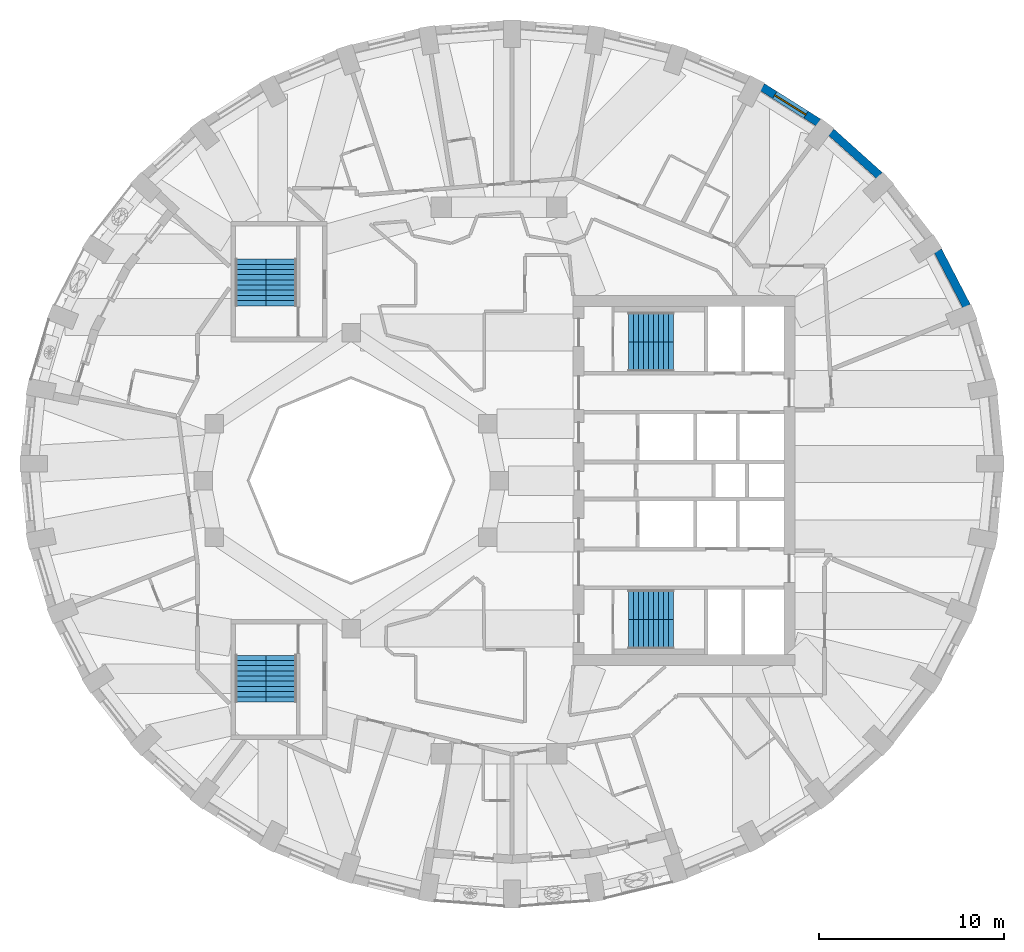
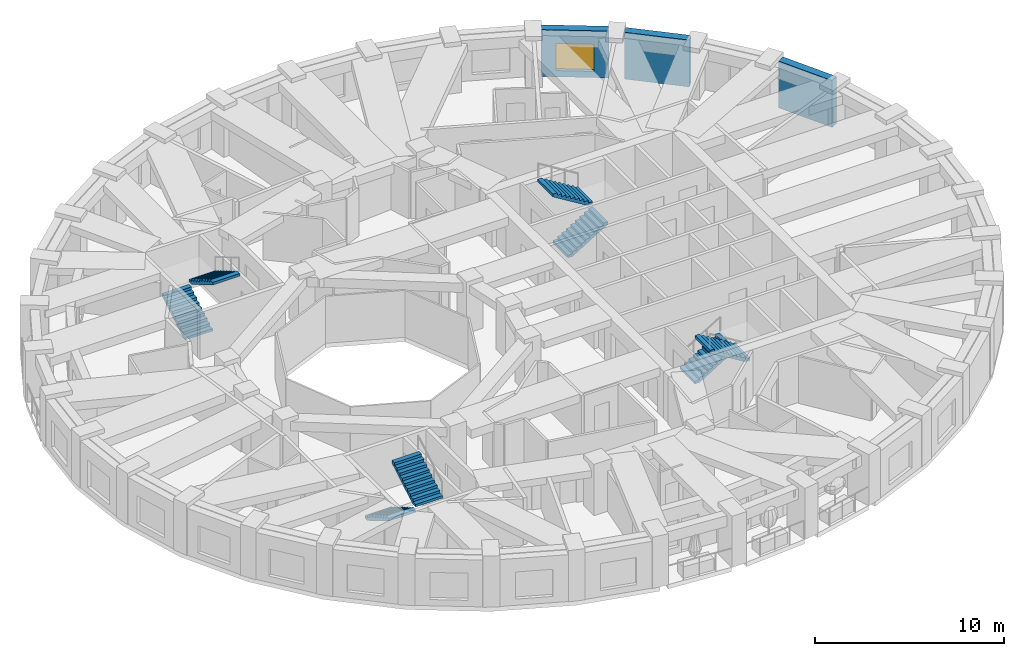
# One storey, part 9 of 12: 8 stair flights, 3 walls, 1 window, 1 opening, 4 elements without a shape of their own.
"""IFC4 building model written with IfcOpenShell, lengths in metres."""

from ifc_helpers import new_model, si_unit, direction, frame, frame_2d, origin, place, context, subcontext, project, spatial, polyline, rectangle, outline, extrude, material, layer, layer_set, type_object, element, fill, aggregate, save


model = new_model("IFC4")

# Units and contexts
model_context = context("Model", 3, precision=1e-05, world=origin(), true_north=direction((0.0, 1.0)))
body_context = subcontext(model_context, "Body", "Model", "MODEL_VIEW")
ifc_project = project(units=[si_unit("LENGTHUNIT", "METRE"), si_unit("AREAUNIT", "SQUARE_METRE"), si_unit("VOLUMEUNIT", "CUBIC_METRE"), si_unit("PLANEANGLEUNIT", "RADIAN"), si_unit("MASSUNIT", "GRAM", prefix="KILO")], contexts=[model_context])

# Site, building, storey
site_placement = place(None, origin())
site = spatial("IfcSite", under=ifc_project, at=site_placement, CompositionType="ELEMENT")
building_placement = place(site_placement, origin())
building = spatial("IfcBuilding", under=site, at=building_placement, Name="Taillehof Tower", CompositionType="ELEMENT")
storey_placement = place(building_placement, frame((0.0, 0.0, 205.699951171875)))
storey = spatial("IfcBuildingStorey", under=building, at=storey_placement, Name="L58", CompositionType="ELEMENT", Elevation=205.699951171875)

# Walls
ifc_material_1 = material(Name="Brick masonry", Category="masonry")
ifc_layer = layer(ifc_material_1, 0.449951171875)
ifc_layer_set = layer_set([ifc_layer], Name="Brick infill wall 450")
wall_type = type_object("IfcWallType", Name="Brick infill wall 450", PredefinedType="SOLIDWALL", material=ifc_layer_set)
wall_1_placement = place(storey_placement, frame((25.278076171875, 9.431640625, 0.0), z_axis=(0.0, 0.0, 1.0), x_axis=(-0.460175500475, 0.887827972505, 0.0)))
element("IfcWall", 1, at=wall_1_placement, inside=storey, type_object=wall_type, Name="Brick wall L58 bay 3", PredefinedType="SOLIDWALL", context=body_context, shape_type="SweptSolid", body=[
    extrude(rectangle(XDim=3.37060546875, YDim=0.449951171875, at=frame_2d((1.685302734375, 0.0))), origin(), (0.0, 0.0, 1.0), 3.02001953125),
])
wall_2_placement = place(storey_placement, frame((20.56494140625, 16.490478515625, 0.0), z_axis=(0.0, 0.0, 1.0), x_axis=(-0.743442727602, 0.668799604348, 0.0)))
element("IfcWall", 2, at=wall_2_placement, inside=storey, type_object=wall_type, Name="Brick wall L58 bay 5", PredefinedType="SOLIDWALL", context=body_context, shape_type="SweptSolid", body=[
    extrude(rectangle(XDim=3.5126953125, YDim=0.449951171875, at=frame_2d((1.75634765625, 0.0))), origin(), (0.0, 0.0, 1.0), 3.02001953125),
])

# Wall, opening, window
wall_3_placement = place(storey_placement, frame((17.26708984375, 19.3583984375, 0.0), z_axis=(0.0, 0.0, 1.0), x_axis=(-0.846119146727, 0.532993798783, 0.0)))
wall_3 = element("IfcWall", 3, at=wall_3_placement, inside=storey, type_object=wall_type, Name="Brick wall L58 bay 6", PredefinedType="SOLIDWALL", context=body_context, shape_type="SweptSolid", body=[
    extrude(rectangle(XDim=3.586669921875, YDim=0.449951171875, at=frame_2d((1.79345703125, 0.0))), origin(), (0.0, 0.0, 1.0), 3.02001953125),
])
opening_placement = place(wall_3_placement, frame((0.79345703125, 0.0, 0.39990234375)))
opening = element("IfcOpeningElement", 4, at=opening_placement, cuts=wall_3, Name="Opening W2", PredefinedType="OPENING", context=body_context, shape_type="SweptSolid", body=[
    extrude(rectangle(XDim=2.0, YDim=1.75, at=frame_2d((1.0, 0.875))), frame((0.0, 0.23486328125, 0.0), z_axis=(0.0, -1.0, 0.0), x_axis=(1.0, 0.0, 0.0)), (0.0, 0.0, 1.0), 0.469970703125),
])
ifc_material_2 = material(Name="Aluminium window frame with clear double glazing", Category="aluminium")
window_type = type_object("IfcWindowType", Name="Deep-set window 2000x1750", PartitioningType="SINGLE_PANEL", PredefinedType="WINDOW", material=ifc_material_2)
window_placement = place(opening_placement, origin())
window = element("IfcWindow", 5, at=window_placement, inside=storey, type_object=window_type, Name="W2", OverallHeight=1.75, OverallWidth=2.0, PartitioningType="SINGLE_PANEL", PredefinedType="WINDOW", context=body_context, shape_type="SweptSolid", body=[
    extrude(rectangle(XDim=2.0, YDim=1.75, at=frame_2d((1.0, 0.875))), frame((0.0, 0.034912109375, 0.0), z_axis=(0.0, -1.0, 0.0), x_axis=(1.0, 0.0, 0.0)), (0.0, 0.0, 1.0), 0.06005859375),
])
fill(opening, window)

# Stair, stair flights
ifc_material_3 = material(Name="Concrete C40/50", Category="concrete")
stair_type = type_object("IfcStairType", Name="Exit stair half-turn", PredefinedType="HALF_TURN_STAIR", material=ifc_material_3)
stair_1_placement = place(storey_placement, origin())
stair_1 = element("IfcStair", 6, at=stair_1_placement, inside=storey, type_object=stair_type, Name="Exit stair S1", PredefinedType="HALF_TURN_STAIR")
ifc_material_4 = material(Name="Concrete C40/50", Category="concrete")
stair_flight_type_1 = type_object("IfcStairFlightType", Name="Stair flight 1600 riser 165.0 going 270", PredefinedType="STRAIGHT", material=ifc_material_4)
stair_flight_1_placement = place(storey_placement, frame((7.0, 6.699951171875, 0.0), z_axis=(0.0, 0.0, 1.0), x_axis=(1.0, 0.0, 0.0)))
stair_flight_1 = element("IfcStairFlight", 7, at=stair_flight_1_placement, type_object=stair_flight_type_1, Name="S1 flight 1", NumberOfRisers=10, NumberOfTreads=9, PredefinedType="STRAIGHT", RiserHeight=0.165, TreadLength=0.27, context=body_context, shape_type="SweptSolid", body=[
    extrude(outline(polyline([(0.0, 0.0), (0.0, 0.00537109375), (0.0, 0.0107421875), (0.0, 0.015869140625), (0.0, 0.021240234375), (0.0, 0.026611328125), (0.0, 0.031982421875), (0.0, 0.037353515625), (0.0, 0.04248046875), (0.0, 0.0478515625), (0.0, 0.05322265625), (0.0, 0.05859375), (0.0, 0.06396484375), (0.0, 0.069091796875), (0.0, 0.074462890625), (0.0, 0.079833984375), (0.0, 0.085205078125), (0.0, 0.090576171875), (0.0, 0.095703125), (0.0, 0.10107421875), (0.0, 0.1064453125), (0.0, 0.11181640625), (0.0, 0.1171875), (0.0, 0.122314453125), (0.0, 0.127685546875), (0.0, 0.133056640625), (0.0, 0.138427734375), (0.0, 0.143798828125), (0.0, 0.14892578125), (0.0, 0.154296875), (0.0, 0.15966796875), (0.0, 0.1650390625), (0.27001953125, 0.1650390625), (0.27001953125, 0.330078125), (0.5400390625, 0.330078125), (0.5400390625, 0.4951171875), (0.81005859375, 0.4951171875), (0.81005859375, 0.659912109375), (1.080078125, 0.659912109375), (1.080078125, 0.824951171875), (1.35009765625, 0.824951171875), (1.35009765625, 0.989990234375), (1.6201171875, 0.989990234375), (1.6201171875, 1.155029296875), (1.889892578125, 1.155029296875), (1.889892578125, 1.320068359375), (2.159912109375, 1.320068359375), (2.159912109375, 1.485107421875), (2.429931640625, 1.485107421875), (2.429931640625, 1.479248046875), (2.429931640625, 1.4736328125), (2.429931640625, 1.468017578125), (2.429931640625, 1.46240234375), (2.429931640625, 1.45654296875), (2.429931640625, 1.450927734375), (2.429931640625, 1.4453125), (2.429931640625, 1.439697265625), (2.429931640625, 1.43408203125), (2.429931640625, 1.42822265625), (2.429931640625, 1.422607421875), (2.429931640625, 1.4169921875), (2.429931640625, 1.411376953125), (2.429931640625, 1.40576171875), (2.429931640625, 1.39990234375), (2.429931640625, 1.394287109375), (2.429931640625, 1.388671875), (2.429931640625, 1.383056640625), (2.429931640625, 1.37744140625), (2.429931640625, 1.37158203125), (2.429931640625, 1.365966796875), (2.429931640625, 1.3603515625), (2.429931640625, 1.354736328125), (2.429931640625, 1.348876953125), (2.429931640625, 1.34326171875), (2.429931640625, 1.337646484375), (2.429931640625, 1.33203125), (2.429931640625, 1.326416015625), (2.429931640625, 1.320556640625), (2.429931640625, 1.31494140625), (2.429931640625, 1.309326171875), (0.287353515625, 0.0), (0.0, 0.0)])), frame((0.0, 0.800048828125, 0.0), z_axis=(0.0, -1.0, 0.0), x_axis=(1.0, 0.0, 0.0)), (0.0, 0.0, 1.0), 1.6),
])
stair_flight_2_placement = place(storey_placement, frame((9.429931640625, 8.300048828125, 1.650146484375), z_axis=(0.0, 0.0, 1.0), x_axis=(-1.0, 0.0, 0.0)))
stair_flight_2 = element("IfcStairFlight", 8, at=stair_flight_2_placement, type_object=stair_flight_type_1, Name="S1 flight 2", NumberOfRisers=10, NumberOfTreads=9, PredefinedType="STRAIGHT", RiserHeight=0.165, TreadLength=0.27, context=body_context, shape_type="SweptSolid", body=[
    extrude(outline(polyline([(0.0, 0.0), (0.0, 0.00537109375), (0.0, 0.0107421875), (0.0, 0.015869140625), (0.0, 0.021240234375), (0.0, 0.026611328125), (0.0, 0.031982421875), (0.0, 0.037353515625), (0.0, 0.04248046875), (0.0, 0.0478515625), (0.0, 0.05322265625), (0.0, 0.05859375), (0.0, 0.06396484375), (0.0, 0.069091796875), (0.0, 0.074462890625), (0.0, 0.079833984375), (0.0, 0.085205078125), (0.0, 0.090576171875), (0.0, 0.095703125), (0.0, 0.10107421875), (0.0, 0.1064453125), (0.0, 0.11181640625), (0.0, 0.1171875), (0.0, 0.122314453125), (0.0, 0.127685546875), (0.0, 0.133056640625), (0.0, 0.138427734375), (0.0, 0.143798828125), (0.0, 0.14892578125), (0.0, 0.154296875), (0.0, 0.15966796875), (0.0, 0.1650390625), (0.27001953125, 0.1650390625), (0.27001953125, 0.330078125), (0.5400390625, 0.330078125), (0.5400390625, 0.4951171875), (0.81005859375, 0.4951171875), (0.81005859375, 0.659912109375), (1.080078125, 0.659912109375), (1.080078125, 0.824951171875), (1.35009765625, 0.824951171875), (1.35009765625, 0.989990234375), (1.6201171875, 0.989990234375), (1.6201171875, 1.155029296875), (1.889892578125, 1.155029296875), (1.889892578125, 1.320068359375), (2.159912109375, 1.320068359375), (2.159912109375, 1.485107421875), (2.429931640625, 1.485107421875), (2.429931640625, 1.479248046875), (2.429931640625, 1.4736328125), (2.429931640625, 1.468017578125), (2.429931640625, 1.46240234375), (2.429931640625, 1.45654296875), (2.429931640625, 1.450927734375), (2.429931640625, 1.4453125), (2.429931640625, 1.439697265625), (2.429931640625, 1.43408203125), (2.429931640625, 1.42822265625), (2.429931640625, 1.422607421875), (2.429931640625, 1.4169921875), (2.429931640625, 1.411376953125), (2.429931640625, 1.40576171875), (2.429931640625, 1.39990234375), (2.429931640625, 1.394287109375), (2.429931640625, 1.388671875), (2.429931640625, 1.383056640625), (2.429931640625, 1.37744140625), (2.429931640625, 1.37158203125), (2.429931640625, 1.365966796875), (2.429931640625, 1.3603515625), (2.429931640625, 1.354736328125), (2.429931640625, 1.348876953125), (2.429931640625, 1.34326171875), (2.429931640625, 1.337646484375), (2.429931640625, 1.33203125), (2.429931640625, 1.326416015625), (2.429931640625, 1.320556640625), (2.429931640625, 1.31494140625), (2.429931640625, 1.309326171875), (0.287353515625, 0.0), (0.0, 0.0)])), frame((0.0, 0.800048828125, 0.0), z_axis=(0.0, -1.0, 0.0), x_axis=(1.0, 0.0, 0.0)), (0.0, 0.0, 1.0), 1.6),
])
aggregate(stair_1, [stair_flight_1, stair_flight_2])

stair_2_placement = place(storey_placement, origin())
stair_2 = element("IfcStair", 9, at=stair_2_placement, inside=storey, type_object=stair_type, Name="Exit stair S2", PredefinedType="HALF_TURN_STAIR")
stair_flight_3_placement = place(storey_placement, frame((7.0, -6.699951171875, 0.0), z_axis=(0.0, 0.0, 1.0), x_axis=(1.0, 0.0, 0.0)))
stair_flight_3 = element("IfcStairFlight", 10, at=stair_flight_3_placement, type_object=stair_flight_type_1, Name="S2 flight 1", NumberOfRisers=10, NumberOfTreads=9, PredefinedType="STRAIGHT", RiserHeight=0.165, TreadLength=0.27, context=body_context, shape_type="SweptSolid", body=[
    extrude(outline(polyline([(0.0, 0.0), (0.0, 0.00537109375), (0.0, 0.0107421875), (0.0, 0.015869140625), (0.0, 0.021240234375), (0.0, 0.026611328125), (0.0, 0.031982421875), (0.0, 0.037353515625), (0.0, 0.04248046875), (0.0, 0.0478515625), (0.0, 0.05322265625), (0.0, 0.05859375), (0.0, 0.06396484375), (0.0, 0.069091796875), (0.0, 0.074462890625), (0.0, 0.079833984375), (0.0, 0.085205078125), (0.0, 0.090576171875), (0.0, 0.095703125), (0.0, 0.10107421875), (0.0, 0.1064453125), (0.0, 0.11181640625), (0.0, 0.1171875), (0.0, 0.122314453125), (0.0, 0.127685546875), (0.0, 0.133056640625), (0.0, 0.138427734375), (0.0, 0.143798828125), (0.0, 0.14892578125), (0.0, 0.154296875), (0.0, 0.15966796875), (0.0, 0.1650390625), (0.27001953125, 0.1650390625), (0.27001953125, 0.330078125), (0.5400390625, 0.330078125), (0.5400390625, 0.4951171875), (0.81005859375, 0.4951171875), (0.81005859375, 0.659912109375), (1.080078125, 0.659912109375), (1.080078125, 0.824951171875), (1.35009765625, 0.824951171875), (1.35009765625, 0.989990234375), (1.6201171875, 0.989990234375), (1.6201171875, 1.155029296875), (1.889892578125, 1.155029296875), (1.889892578125, 1.320068359375), (2.159912109375, 1.320068359375), (2.159912109375, 1.485107421875), (2.429931640625, 1.485107421875), (2.429931640625, 1.479248046875), (2.429931640625, 1.4736328125), (2.429931640625, 1.468017578125), (2.429931640625, 1.46240234375), (2.429931640625, 1.45654296875), (2.429931640625, 1.450927734375), (2.429931640625, 1.4453125), (2.429931640625, 1.439697265625), (2.429931640625, 1.43408203125), (2.429931640625, 1.42822265625), (2.429931640625, 1.422607421875), (2.429931640625, 1.4169921875), (2.429931640625, 1.411376953125), (2.429931640625, 1.40576171875), (2.429931640625, 1.39990234375), (2.429931640625, 1.394287109375), (2.429931640625, 1.388671875), (2.429931640625, 1.383056640625), (2.429931640625, 1.37744140625), (2.429931640625, 1.37158203125), (2.429931640625, 1.365966796875), (2.429931640625, 1.3603515625), (2.429931640625, 1.354736328125), (2.429931640625, 1.348876953125), (2.429931640625, 1.34326171875), (2.429931640625, 1.337646484375), (2.429931640625, 1.33203125), (2.429931640625, 1.326416015625), (2.429931640625, 1.320556640625), (2.429931640625, 1.31494140625), (2.429931640625, 1.309326171875), (0.287353515625, 0.0), (0.0, 0.0)])), frame((0.0, 0.800048828125, 0.0), z_axis=(0.0, -1.0, 0.0), x_axis=(1.0, 0.0, 0.0)), (0.0, 0.0, 1.0), 1.6),
])
stair_flight_4_placement = place(storey_placement, frame((9.429931640625, -8.300048828125, 1.650146484375), z_axis=(0.0, 0.0, 1.0), x_axis=(-1.0, 0.0, 0.0)))
stair_flight_4 = element("IfcStairFlight", 11, at=stair_flight_4_placement, type_object=stair_flight_type_1, Name="S2 flight 2", NumberOfRisers=10, NumberOfTreads=9, PredefinedType="STRAIGHT", RiserHeight=0.165, TreadLength=0.27, context=body_context, shape_type="SweptSolid", body=[
    extrude(outline(polyline([(0.0, 0.0), (0.0, 0.00537109375), (0.0, 0.0107421875), (0.0, 0.015869140625), (0.0, 0.021240234375), (0.0, 0.026611328125), (0.0, 0.031982421875), (0.0, 0.037353515625), (0.0, 0.04248046875), (0.0, 0.0478515625), (0.0, 0.05322265625), (0.0, 0.05859375), (0.0, 0.06396484375), (0.0, 0.069091796875), (0.0, 0.074462890625), (0.0, 0.079833984375), (0.0, 0.085205078125), (0.0, 0.090576171875), (0.0, 0.095703125), (0.0, 0.10107421875), (0.0, 0.1064453125), (0.0, 0.11181640625), (0.0, 0.1171875), (0.0, 0.122314453125), (0.0, 0.127685546875), (0.0, 0.133056640625), (0.0, 0.138427734375), (0.0, 0.143798828125), (0.0, 0.14892578125), (0.0, 0.154296875), (0.0, 0.15966796875), (0.0, 0.1650390625), (0.27001953125, 0.1650390625), (0.27001953125, 0.330078125), (0.5400390625, 0.330078125), (0.5400390625, 0.4951171875), (0.81005859375, 0.4951171875), (0.81005859375, 0.659912109375), (1.080078125, 0.659912109375), (1.080078125, 0.824951171875), (1.35009765625, 0.824951171875), (1.35009765625, 0.989990234375), (1.6201171875, 0.989990234375), (1.6201171875, 1.155029296875), (1.889892578125, 1.155029296875), (1.889892578125, 1.320068359375), (2.159912109375, 1.320068359375), (2.159912109375, 1.485107421875), (2.429931640625, 1.485107421875), (2.429931640625, 1.479248046875), (2.429931640625, 1.4736328125), (2.429931640625, 1.468017578125), (2.429931640625, 1.46240234375), (2.429931640625, 1.45654296875), (2.429931640625, 1.450927734375), (2.429931640625, 1.4453125), (2.429931640625, 1.439697265625), (2.429931640625, 1.43408203125), (2.429931640625, 1.42822265625), (2.429931640625, 1.422607421875), (2.429931640625, 1.4169921875), (2.429931640625, 1.411376953125), (2.429931640625, 1.40576171875), (2.429931640625, 1.39990234375), (2.429931640625, 1.394287109375), (2.429931640625, 1.388671875), (2.429931640625, 1.383056640625), (2.429931640625, 1.37744140625), (2.429931640625, 1.37158203125), (2.429931640625, 1.365966796875), (2.429931640625, 1.3603515625), (2.429931640625, 1.354736328125), (2.429931640625, 1.348876953125), (2.429931640625, 1.34326171875), (2.429931640625, 1.337646484375), (2.429931640625, 1.33203125), (2.429931640625, 1.326416015625), (2.429931640625, 1.320556640625), (2.429931640625, 1.31494140625), (2.429931640625, 1.309326171875), (0.287353515625, 0.0), (0.0, 0.0)])), frame((0.0, 0.800048828125, 0.0), z_axis=(0.0, -1.0, 0.0), x_axis=(1.0, 0.0, 0.0)), (0.0, 0.0, 1.0), 1.6),
])
aggregate(stair_2, [stair_flight_3, stair_flight_4])

stair_3_placement = place(storey_placement, origin())
stair_3 = element("IfcStair", 12, at=stair_3_placement, inside=storey, type_object=stair_type, Name="Exit stair S3", PredefinedType="HALF_TURN_STAIR")
ifc_material_5 = material(Name="Concrete C40/50", Category="concrete")
stair_flight_type_2 = type_object("IfcStairFlightType", Name="Stair flight 1650 riser 165.0 going 280", PredefinedType="STRAIGHT", material=ifc_material_5)
stair_flight_5_placement = place(storey_placement, frame((-13.425048828125, 9.449951171875, 0.0), z_axis=(0.0, 0.0, 1.0), x_axis=(0.0, 1.0, 0.0)))
stair_flight_5 = element("IfcStairFlight", 13, at=stair_flight_5_placement, type_object=stair_flight_type_2, Name="S3 flight 1", NumberOfRisers=10, NumberOfTreads=9, PredefinedType="STRAIGHT", RiserHeight=0.165, TreadLength=0.28, context=body_context, shape_type="SweptSolid", body=[
    extrude(outline(polyline([(0.0, 0.0), (0.0, 0.00537109375), (0.0, 0.0107421875), (0.0, 0.015869140625), (0.0, 0.021240234375), (0.0, 0.026611328125), (0.0, 0.031982421875), (0.0, 0.037353515625), (0.0, 0.04248046875), (0.0, 0.0478515625), (0.0, 0.05322265625), (0.0, 0.05859375), (0.0, 0.06396484375), (0.0, 0.069091796875), (0.0, 0.074462890625), (0.0, 0.079833984375), (0.0, 0.085205078125), (0.0, 0.090576171875), (0.0, 0.095703125), (0.0, 0.10107421875), (0.0, 0.1064453125), (0.0, 0.11181640625), (0.0, 0.1171875), (0.0, 0.122314453125), (0.0, 0.127685546875), (0.0, 0.133056640625), (0.0, 0.138427734375), (0.0, 0.143798828125), (0.0, 0.14892578125), (0.0, 0.154296875), (0.0, 0.15966796875), (0.0, 0.1650390625), (0.280029296875, 0.1650390625), (0.280029296875, 0.330078125), (0.56005859375, 0.330078125), (0.56005859375, 0.4951171875), (0.840087890625, 0.4951171875), (0.840087890625, 0.659912109375), (1.1201171875, 0.659912109375), (1.1201171875, 0.824951171875), (1.39990234375, 0.824951171875), (1.39990234375, 0.989990234375), (1.679931640625, 0.989990234375), (1.679931640625, 1.155029296875), (1.9599609375, 1.155029296875), (1.9599609375, 1.320068359375), (2.239990234375, 1.320068359375), (2.239990234375, 1.485107421875), (2.52001953125, 1.485107421875), (2.52001953125, 1.4794921875), (2.52001953125, 1.473876953125), (2.52001953125, 1.46826171875), (2.52001953125, 1.462646484375), (2.52001953125, 1.45703125), (2.52001953125, 1.451416015625), (2.52001953125, 1.44580078125), (2.52001953125, 1.440185546875), (2.52001953125, 1.4345703125), (2.52001953125, 1.428955078125), (2.52001953125, 1.42333984375), (2.52001953125, 1.417724609375), (2.52001953125, 1.412109375), (2.52001953125, 1.406494140625), (2.52001953125, 1.40087890625), (2.52001953125, 1.395263671875), (2.52001953125, 1.3896484375), (2.52001953125, 1.384033203125), (2.52001953125, 1.37841796875), (2.52001953125, 1.372802734375), (2.52001953125, 1.3671875), (2.52001953125, 1.361572265625), (2.52001953125, 1.35595703125), (2.52001953125, 1.350341796875), (2.52001953125, 1.3447265625), (2.52001953125, 1.339111328125), (2.52001953125, 1.33349609375), (2.52001953125, 1.327880859375), (2.52001953125, 1.322265625), (2.52001953125, 1.316650390625), (2.52001953125, 1.31103515625), (0.295166015625, 0.0), (0.0, 0.0)])), frame((0.0, 0.824951171875, 0.0), z_axis=(0.0, -1.0, 0.0), x_axis=(1.0, 0.0, 0.0)), (0.0, 0.0, 1.0), 1.65),
])
stair_flight_6_placement = place(storey_placement, frame((-11.77490234375, 11.969970703125, 1.650146484375), z_axis=(0.0, 0.0, 1.0), x_axis=(0.0, -1.0, 0.0)))
stair_flight_6 = element("IfcStairFlight", 14, at=stair_flight_6_placement, type_object=stair_flight_type_2, Name="S3 flight 2", NumberOfRisers=10, NumberOfTreads=9, PredefinedType="STRAIGHT", RiserHeight=0.165, TreadLength=0.28, context=body_context, shape_type="SweptSolid", body=[
    extrude(outline(polyline([(0.0, 0.0), (0.0, 0.00537109375), (0.0, 0.0107421875), (0.0, 0.015869140625), (0.0, 0.021240234375), (0.0, 0.026611328125), (0.0, 0.031982421875), (0.0, 0.037353515625), (0.0, 0.04248046875), (0.0, 0.0478515625), (0.0, 0.05322265625), (0.0, 0.05859375), (0.0, 0.06396484375), (0.0, 0.069091796875), (0.0, 0.074462890625), (0.0, 0.079833984375), (0.0, 0.085205078125), (0.0, 0.090576171875), (0.0, 0.095703125), (0.0, 0.10107421875), (0.0, 0.1064453125), (0.0, 0.11181640625), (0.0, 0.1171875), (0.0, 0.122314453125), (0.0, 0.127685546875), (0.0, 0.133056640625), (0.0, 0.138427734375), (0.0, 0.143798828125), (0.0, 0.14892578125), (0.0, 0.154296875), (0.0, 0.15966796875), (0.0, 0.1650390625), (0.280029296875, 0.1650390625), (0.280029296875, 0.330078125), (0.56005859375, 0.330078125), (0.56005859375, 0.4951171875), (0.840087890625, 0.4951171875), (0.840087890625, 0.659912109375), (1.1201171875, 0.659912109375), (1.1201171875, 0.824951171875), (1.39990234375, 0.824951171875), (1.39990234375, 0.989990234375), (1.679931640625, 0.989990234375), (1.679931640625, 1.155029296875), (1.9599609375, 1.155029296875), (1.9599609375, 1.320068359375), (2.239990234375, 1.320068359375), (2.239990234375, 1.485107421875), (2.52001953125, 1.485107421875), (2.52001953125, 1.4794921875), (2.52001953125, 1.473876953125), (2.52001953125, 1.46826171875), (2.52001953125, 1.462646484375), (2.52001953125, 1.45703125), (2.52001953125, 1.451416015625), (2.52001953125, 1.44580078125), (2.52001953125, 1.440185546875), (2.52001953125, 1.4345703125), (2.52001953125, 1.428955078125), (2.52001953125, 1.42333984375), (2.52001953125, 1.417724609375), (2.52001953125, 1.412109375), (2.52001953125, 1.406494140625), (2.52001953125, 1.40087890625), (2.52001953125, 1.395263671875), (2.52001953125, 1.3896484375), (2.52001953125, 1.384033203125), (2.52001953125, 1.37841796875), (2.52001953125, 1.372802734375), (2.52001953125, 1.3671875), (2.52001953125, 1.361572265625), (2.52001953125, 1.35595703125), (2.52001953125, 1.350341796875), (2.52001953125, 1.3447265625), (2.52001953125, 1.339111328125), (2.52001953125, 1.33349609375), (2.52001953125, 1.327880859375), (2.52001953125, 1.322265625), (2.52001953125, 1.316650390625), (2.52001953125, 1.31103515625), (0.295166015625, 0.0), (0.0, 0.0)])), frame((0.0, 0.824951171875, 0.0), z_axis=(0.0, -1.0, 0.0), x_axis=(1.0, 0.0, 0.0)), (0.0, 0.0, 1.0), 1.65),
])
aggregate(stair_3, [stair_flight_5, stair_flight_6])

stair_4_placement = place(storey_placement, origin())
stair_4 = element("IfcStair", 15, at=stair_4_placement, inside=storey, type_object=stair_type, Name="Exit stair S4", PredefinedType="HALF_TURN_STAIR")
stair_flight_7_placement = place(storey_placement, frame((-13.425048828125, -9.449951171875, 0.0), z_axis=(0.0, 0.0, 1.0), x_axis=(0.0, -1.0, 0.0)))
stair_flight_7 = element("IfcStairFlight", 16, at=stair_flight_7_placement, type_object=stair_flight_type_2, Name="S4 flight 1", NumberOfRisers=10, NumberOfTreads=9, PredefinedType="STRAIGHT", RiserHeight=0.165, TreadLength=0.28, context=body_context, shape_type="SweptSolid", body=[
    extrude(outline(polyline([(0.0, 0.0), (0.0, 0.00537109375), (0.0, 0.0107421875), (0.0, 0.015869140625), (0.0, 0.021240234375), (0.0, 0.026611328125), (0.0, 0.031982421875), (0.0, 0.037353515625), (0.0, 0.04248046875), (0.0, 0.0478515625), (0.0, 0.05322265625), (0.0, 0.05859375), (0.0, 0.06396484375), (0.0, 0.069091796875), (0.0, 0.074462890625), (0.0, 0.079833984375), (0.0, 0.085205078125), (0.0, 0.090576171875), (0.0, 0.095703125), (0.0, 0.10107421875), (0.0, 0.1064453125), (0.0, 0.11181640625), (0.0, 0.1171875), (0.0, 0.122314453125), (0.0, 0.127685546875), (0.0, 0.133056640625), (0.0, 0.138427734375), (0.0, 0.143798828125), (0.0, 0.14892578125), (0.0, 0.154296875), (0.0, 0.15966796875), (0.0, 0.1650390625), (0.280029296875, 0.1650390625), (0.280029296875, 0.330078125), (0.56005859375, 0.330078125), (0.56005859375, 0.4951171875), (0.840087890625, 0.4951171875), (0.840087890625, 0.659912109375), (1.1201171875, 0.659912109375), (1.1201171875, 0.824951171875), (1.39990234375, 0.824951171875), (1.39990234375, 0.989990234375), (1.679931640625, 0.989990234375), (1.679931640625, 1.155029296875), (1.9599609375, 1.155029296875), (1.9599609375, 1.320068359375), (2.239990234375, 1.320068359375), (2.239990234375, 1.485107421875), (2.52001953125, 1.485107421875), (2.52001953125, 1.4794921875), (2.52001953125, 1.473876953125), (2.52001953125, 1.46826171875), (2.52001953125, 1.462646484375), (2.52001953125, 1.45703125), (2.52001953125, 1.451416015625), (2.52001953125, 1.44580078125), (2.52001953125, 1.440185546875), (2.52001953125, 1.4345703125), (2.52001953125, 1.428955078125), (2.52001953125, 1.42333984375), (2.52001953125, 1.417724609375), (2.52001953125, 1.412109375), (2.52001953125, 1.406494140625), (2.52001953125, 1.40087890625), (2.52001953125, 1.395263671875), (2.52001953125, 1.3896484375), (2.52001953125, 1.384033203125), (2.52001953125, 1.37841796875), (2.52001953125, 1.372802734375), (2.52001953125, 1.3671875), (2.52001953125, 1.361572265625), (2.52001953125, 1.35595703125), (2.52001953125, 1.350341796875), (2.52001953125, 1.3447265625), (2.52001953125, 1.339111328125), (2.52001953125, 1.33349609375), (2.52001953125, 1.327880859375), (2.52001953125, 1.322265625), (2.52001953125, 1.316650390625), (2.52001953125, 1.31103515625), (0.295166015625, 0.0), (0.0, 0.0)])), frame((0.0, 0.824951171875, 0.0), z_axis=(0.0, -1.0, 0.0), x_axis=(1.0, 0.0, 0.0)), (0.0, 0.0, 1.0), 1.65),
])
stair_flight_8_placement = place(storey_placement, frame((-11.77490234375, -11.969970703125, 1.650146484375), z_axis=(0.0, 0.0, 1.0), x_axis=(0.0, 1.0, 0.0)))
stair_flight_8 = element("IfcStairFlight", 17, at=stair_flight_8_placement, type_object=stair_flight_type_2, Name="S4 flight 2", NumberOfRisers=10, NumberOfTreads=9, PredefinedType="STRAIGHT", RiserHeight=0.165, TreadLength=0.28, context=body_context, shape_type="SweptSolid", body=[
    extrude(outline(polyline([(0.0, 0.0), (0.0, 0.00537109375), (0.0, 0.0107421875), (0.0, 0.015869140625), (0.0, 0.021240234375), (0.0, 0.026611328125), (0.0, 0.031982421875), (0.0, 0.037353515625), (0.0, 0.04248046875), (0.0, 0.0478515625), (0.0, 0.05322265625), (0.0, 0.05859375), (0.0, 0.06396484375), (0.0, 0.069091796875), (0.0, 0.074462890625), (0.0, 0.079833984375), (0.0, 0.085205078125), (0.0, 0.090576171875), (0.0, 0.095703125), (0.0, 0.10107421875), (0.0, 0.1064453125), (0.0, 0.11181640625), (0.0, 0.1171875), (0.0, 0.122314453125), (0.0, 0.127685546875), (0.0, 0.133056640625), (0.0, 0.138427734375), (0.0, 0.143798828125), (0.0, 0.14892578125), (0.0, 0.154296875), (0.0, 0.15966796875), (0.0, 0.1650390625), (0.280029296875, 0.1650390625), (0.280029296875, 0.330078125), (0.56005859375, 0.330078125), (0.56005859375, 0.4951171875), (0.840087890625, 0.4951171875), (0.840087890625, 0.659912109375), (1.1201171875, 0.659912109375), (1.1201171875, 0.824951171875), (1.39990234375, 0.824951171875), (1.39990234375, 0.989990234375), (1.679931640625, 0.989990234375), (1.679931640625, 1.155029296875), (1.9599609375, 1.155029296875), (1.9599609375, 1.320068359375), (2.239990234375, 1.320068359375), (2.239990234375, 1.485107421875), (2.52001953125, 1.485107421875), (2.52001953125, 1.4794921875), (2.52001953125, 1.473876953125), (2.52001953125, 1.46826171875), (2.52001953125, 1.462646484375), (2.52001953125, 1.45703125), (2.52001953125, 1.451416015625), (2.52001953125, 1.44580078125), (2.52001953125, 1.440185546875), (2.52001953125, 1.4345703125), (2.52001953125, 1.428955078125), (2.52001953125, 1.42333984375), (2.52001953125, 1.417724609375), (2.52001953125, 1.412109375), (2.52001953125, 1.406494140625), (2.52001953125, 1.40087890625), (2.52001953125, 1.395263671875), (2.52001953125, 1.3896484375), (2.52001953125, 1.384033203125), (2.52001953125, 1.37841796875), (2.52001953125, 1.372802734375), (2.52001953125, 1.3671875), (2.52001953125, 1.361572265625), (2.52001953125, 1.35595703125), (2.52001953125, 1.350341796875), (2.52001953125, 1.3447265625), (2.52001953125, 1.339111328125), (2.52001953125, 1.33349609375), (2.52001953125, 1.327880859375), (2.52001953125, 1.322265625), (2.52001953125, 1.316650390625), (2.52001953125, 1.31103515625), (0.295166015625, 0.0), (0.0, 0.0)])), frame((0.0, 0.824951171875, 0.0), z_axis=(0.0, -1.0, 0.0), x_axis=(1.0, 0.0, 0.0)), (0.0, 0.0, 1.0), 1.65),
])
aggregate(stair_4, [stair_flight_7, stair_flight_8])

save(model, "model.ifc")
